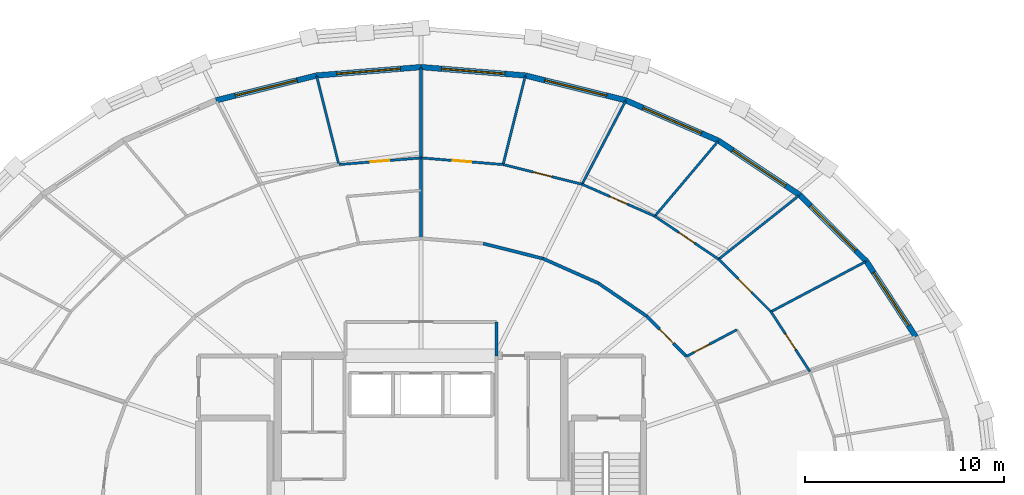
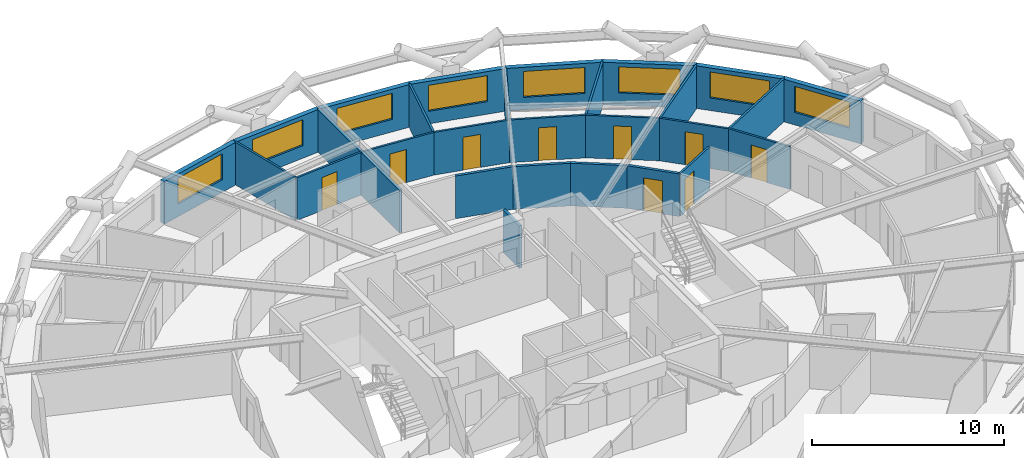
# One storey, part 19 of 23: 28 walls, 9 doors, 8 windows, 17 openings.
"""IFC4 building model written with IfcOpenShell, lengths in metres."""

from ifc_helpers import new_model, si_unit, direction, frame, frame_2d, origin, place, context, subcontext, project, spatial, rectangle, extrude, material, layer, layer_set, type_object, element, fill, save


model = new_model("IFC4")

# Units and contexts
model_context = context("Model", 3, precision=1e-05, world=origin(), true_north=direction((0.0, 1.0)))
body_context = subcontext(model_context, "Body", "Model", "MODEL_VIEW")
ifc_project = project(units=[si_unit("LENGTHUNIT", "METRE"), si_unit("AREAUNIT", "SQUARE_METRE"), si_unit("VOLUMEUNIT", "CUBIC_METRE"), si_unit("PLANEANGLEUNIT", "RADIAN"), si_unit("MASSUNIT", "GRAM", prefix="KILO")], contexts=[model_context])

# Site, building, storey
site_placement = place(None, origin())
site = spatial("IfcSite", under=ifc_project, at=site_placement, CompositionType="ELEMENT")
building_placement = place(site_placement, origin())
building = spatial("IfcBuilding", under=site, at=building_placement, Name="Veldorina Hangang Commons", CompositionType="ELEMENT")
storey_placement = place(building_placement, frame((0.0, 0.0, 95.199951171875)))
storey = spatial("IfcBuildingStorey", under=building, at=storey_placement, Name="L24", CompositionType="ELEMENT", Elevation=95.199951171875)

# Wall, opening, window
ifc_material_1 = material(Name="Stone Roman Travertine", Category="masonry")
ifc_layer_1 = layer(ifc_material_1, 0.280029296875)
ifc_layer_set_1 = layer_set([ifc_layer_1], Name="Stone Roman Travertine")
wall_type_1 = type_object("IfcWallType", Name="EW-TRAV-280", PredefinedType="STANDARD", material=ifc_layer_set_1)
wall_1_placement = place(storey_placement, frame((56.879150390625, 32.404541015625, 0.0), z_axis=(0.0, 0.0, 1.0), x_axis=(-0.548143021063, 0.836384617541, 0.0)))
wall_1 = element("IfcWall", 1, at=wall_1_placement, inside=storey, type_object=wall_type_1, Name="L24 travertine facade wall 02", PredefinedType="STANDARD", context=body_context, shape_type="SweptSolid", body=[
    extrude(rectangle(XDim=4.5400390625, YDim=0.280029296875, at=frame_2d((2.27001953125, 0.0))), origin(), (0.0, 0.0, 1.0), 2.7099609375),
])
opening_1_placement = place(wall_1_placement, frame((0.669921875, 0.0, 0.800048828125)))
opening_1 = element("IfcOpeningElement", 2, at=opening_1_placement, cuts=wall_1, Name="Opening W-01", PredefinedType="OPENING", context=body_context, shape_type="SweptSolid", body=[
    extrude(rectangle(XDim=3.199951171875, YDim=1.64990234375, at=frame_2d((1.60009765625, 0.824951171875))), frame((0.0, 0.14990234375, 0.0), z_axis=(0.0, -1.0, 0.0), x_axis=(1.0, 0.0, 0.0)), (0.0, 0.0, 1.0), 0.300048828125),
])
ifc_material_2 = material(Name="Glass Low-E Triple IGU", Category="glass")
window_type = type_object("IfcWindowType", Name="WIN-TWR-3200", PartitioningType="SINGLE_PANEL", PredefinedType="WINDOW", material=ifc_material_2)
window_1_placement = place(opening_1_placement, origin())
window_1 = element("IfcWindow", 3, at=window_1_placement, inside=storey, type_object=window_type, Name="L24 facade window 02", OverallHeight=1.64990234375, OverallWidth=3.199951171875, PartitioningType="SINGLE_PANEL", PredefinedType="WINDOW", context=body_context, shape_type="SweptSolid", body=[
    extrude(rectangle(XDim=3.199951171875, YDim=1.64990234375, at=frame_2d((1.60009765625, 0.824951171875))), frame((0.0, 0.030029296875, 0.0), z_axis=(0.0, -1.0, 0.0), x_axis=(1.0, 0.0, 0.0)), (0.0, 0.0, 1.0), 0.06005859375),
])
fill(opening_1, window_1)

wall_2_placement = place(storey_placement, frame((54.390625, 36.20166015625, 0.0), z_axis=(0.0, 0.0, 1.0), x_axis=(-0.70930102543, 0.70490570669, 0.0)))
wall_2 = element("IfcWall", 4, at=wall_2_placement, inside=storey, type_object=wall_type_1, Name="L24 travertine facade wall 03", PredefinedType="STANDARD", context=body_context, shape_type="SweptSolid", body=[
    extrude(rectangle(XDim=4.721435546875, YDim=0.280029296875, at=frame_2d((2.36083984375, 0.0))), origin(), (0.0, 0.0, 1.0), 2.7099609375),
])
opening_2_placement = place(wall_2_placement, frame((0.7607421875, 0.0, 0.800048828125)))
opening_2 = element("IfcOpeningElement", 5, at=opening_2_placement, cuts=wall_2, Name="Opening W-01", PredefinedType="OPENING", context=body_context, shape_type="SweptSolid", body=[
    extrude(rectangle(XDim=3.199951171875, YDim=1.64990234375, at=frame_2d((1.60009765625, 0.824951171875))), frame((0.0, 0.14990234375, 0.0), z_axis=(0.0, -1.0, 0.0), x_axis=(1.0, 0.0, 0.0)), (0.0, 0.0, 1.0), 0.300048828125),
])
window_2_placement = place(opening_2_placement, origin())
window_2 = element("IfcWindow", 6, at=window_2_placement, inside=storey, type_object=window_type, Name="L24 facade window 03", OverallHeight=1.64990234375, OverallWidth=3.199951171875, PartitioningType="SINGLE_PANEL", PredefinedType="WINDOW", context=body_context, shape_type="SweptSolid", body=[
    extrude(rectangle(XDim=3.199951171875, YDim=1.64990234375, at=frame_2d((1.60009765625, 0.824951171875))), frame((0.0, 0.030029296875, 0.0), z_axis=(0.0, -1.0, 0.0), x_axis=(1.0, 0.0, 0.0)), (0.0, 0.0, 1.0), 0.06005859375),
])
fill(opening_2, window_2)

wall_3_placement = place(storey_placement, frame((51.041748046875, 39.52978515625, 0.0), z_axis=(0.0, 0.0, 1.0), x_axis=(-0.831046915145, 0.556202323645, 0.0)))
wall_3 = element("IfcWall", 7, at=wall_3_placement, inside=storey, type_object=wall_type_1, Name="L24 travertine facade wall 04", PredefinedType="STANDARD", context=body_context, shape_type="SweptSolid", body=[
    extrude(rectangle(XDim=4.910400390625, YDim=0.280029296875, at=frame_2d((2.455078125, 0.0))), origin(), (0.0, 0.0, 1.0), 2.7099609375),
])
opening_3_placement = place(wall_3_placement, frame((0.855224609375, 0.0, 0.800048828125)))
opening_3 = element("IfcOpeningElement", 8, at=opening_3_placement, cuts=wall_3, Name="Opening W-01", PredefinedType="OPENING", context=body_context, shape_type="SweptSolid", body=[
    extrude(rectangle(XDim=3.199951171875, YDim=1.64990234375, at=frame_2d((1.60009765625, 0.824951171875))), frame((0.0, 0.14990234375, 0.0), z_axis=(0.0, -1.0, 0.0), x_axis=(1.0, 0.0, 0.0)), (0.0, 0.0, 1.0), 0.300048828125),
])
window_3_placement = place(opening_3_placement, origin())
window_3 = element("IfcWindow", 9, at=window_3_placement, inside=storey, type_object=window_type, Name="L24 facade window 04", OverallHeight=1.64990234375, OverallWidth=3.199951171875, PartitioningType="SINGLE_PANEL", PredefinedType="WINDOW", context=body_context, shape_type="SweptSolid", body=[
    extrude(rectangle(XDim=3.199951171875, YDim=1.64990234375, at=frame_2d((1.60009765625, 0.824951171875))), frame((0.0, 0.030029296875, 0.0), z_axis=(0.0, -1.0, 0.0), x_axis=(1.0, 0.0, 0.0)), (0.0, 0.0, 1.0), 0.06005859375),
])
fill(opening_3, window_3)

wall_4_placement = place(storey_placement, frame((46.9609375, 42.260986328125, 0.0), z_axis=(0.0, 0.0, 1.0), x_axis=(-0.916680612936, 0.39962063744, 0.0)))
wall_4 = element("IfcWall", 10, at=wall_4_placement, inside=storey, type_object=wall_type_1, Name="L24 travertine facade wall 05", PredefinedType="STANDARD", context=body_context, shape_type="SweptSolid", body=[
    extrude(rectangle(XDim=5.07861328125, YDim=0.280029296875, at=frame_2d((2.539306640625, 0.0))), origin(), (0.0, 0.0, 1.0), 2.7099609375),
])
opening_4_placement = place(wall_4_placement, frame((0.939453125, 0.0, 0.800048828125)))
opening_4 = element("IfcOpeningElement", 11, at=opening_4_placement, cuts=wall_4, Name="Opening W-01", PredefinedType="OPENING", context=body_context, shape_type="SweptSolid", body=[
    extrude(rectangle(XDim=3.199951171875, YDim=1.64990234375, at=frame_2d((1.60009765625, 0.824951171875))), frame((0.0, 0.14990234375, 0.0), z_axis=(0.0, -1.0, 0.0), x_axis=(1.0, 0.0, 0.0)), (0.0, 0.0, 1.0), 0.300048828125),
])
window_4_placement = place(opening_4_placement, origin())
window_4 = element("IfcWindow", 12, at=window_4_placement, inside=storey, type_object=window_type, Name="L24 facade window 05", OverallHeight=1.64990234375, OverallWidth=3.199951171875, PartitioningType="SINGLE_PANEL", PredefinedType="WINDOW", context=body_context, shape_type="SweptSolid", body=[
    extrude(rectangle(XDim=3.199951171875, YDim=1.64990234375, at=frame_2d((1.60009765625, 0.824951171875))), frame((0.0, 0.030029296875, 0.0), z_axis=(0.0, -1.0, 0.0), x_axis=(1.0, 0.0, 0.0)), (0.0, 0.0, 1.0), 0.06005859375),
])
fill(opening_4, window_4)

wall_5_placement = place(storey_placement, frame((42.305419921875, 44.29052734375, 0.0), z_axis=(0.0, 0.0, 1.0), x_axis=(-0.970735648522, 0.240150579199, 0.0)))
wall_5 = element("IfcWall", 13, at=wall_5_placement, inside=storey, type_object=wall_type_1, Name="L24 travertine facade wall 06", PredefinedType="STANDARD", context=body_context, shape_type="SweptSolid", body=[
    extrude(rectangle(XDim=5.2041015625, YDim=0.280029296875, at=frame_2d((2.60205078125, 0.0))), origin(), (0.0, 0.0, 1.0), 2.7099609375),
])
opening_5_placement = place(wall_5_placement, frame((1.001953125, 0.0, 0.800048828125)))
opening_5 = element("IfcOpeningElement", 14, at=opening_5_placement, cuts=wall_5, Name="Opening W-01", PredefinedType="OPENING", context=body_context, shape_type="SweptSolid", body=[
    extrude(rectangle(XDim=3.199951171875, YDim=1.64990234375, at=frame_2d((1.60009765625, 0.824951171875))), frame((0.0, 0.14990234375, 0.0), z_axis=(0.0, -1.0, 0.0), x_axis=(1.0, 0.0, 0.0)), (0.0, 0.0, 1.0), 0.300048828125),
])
window_5_placement = place(opening_5_placement, origin())
window_5 = element("IfcWindow", 15, at=window_5_placement, inside=storey, type_object=window_type, Name="L24 facade window 06", OverallHeight=1.64990234375, OverallWidth=3.199951171875, PartitioningType="SINGLE_PANEL", PredefinedType="WINDOW", context=body_context, shape_type="SweptSolid", body=[
    extrude(rectangle(XDim=3.199951171875, YDim=1.64990234375, at=frame_2d((1.60009765625, 0.824951171875))), frame((0.0, 0.030029296875, 0.0), z_axis=(0.0, -1.0, 0.0), x_axis=(1.0, 0.0, 0.0)), (0.0, 0.0, 1.0), 0.06005859375),
])
fill(opening_5, window_5)

wall_6_placement = place(storey_placement, frame((37.253662109375, 45.540283203125, 0.0), z_axis=(0.0, 0.0, 1.0), x_axis=(-0.996787676698, 0.080089497328, 0.0)))
wall_6 = element("IfcWall", 16, at=wall_6_placement, inside=storey, type_object=wall_type_1, Name="L24 travertine facade wall 07", PredefinedType="STANDARD", context=body_context, shape_type="SweptSolid", body=[
    extrude(rectangle(XDim=5.2705078125, YDim=0.280029296875, at=frame_2d((2.63525390625, 0.0))), origin(), (0.0, 0.0, 1.0), 2.7099609375),
])
opening_6_placement = place(wall_6_placement, frame((1.035400390625, 0.0, 0.800048828125)))
opening_6 = element("IfcOpeningElement", 17, at=opening_6_placement, cuts=wall_6, Name="Opening W-01", PredefinedType="OPENING", context=body_context, shape_type="SweptSolid", body=[
    extrude(rectangle(XDim=3.199951171875, YDim=1.64990234375, at=frame_2d((1.60009765625, 0.824951171875))), frame((0.0, 0.14990234375, 0.0), z_axis=(0.0, -1.0, 0.0), x_axis=(1.0, 0.0, 0.0)), (0.0, 0.0, 1.0), 0.300048828125),
])
window_6_placement = place(opening_6_placement, origin())
window_6 = element("IfcWindow", 18, at=window_6_placement, inside=storey, type_object=window_type, Name="L24 facade window 07", OverallHeight=1.64990234375, OverallWidth=3.199951171875, PartitioningType="SINGLE_PANEL", PredefinedType="WINDOW", context=body_context, shape_type="SweptSolid", body=[
    extrude(rectangle(XDim=3.199951171875, YDim=1.64990234375, at=frame_2d((1.60009765625, 0.824951171875))), frame((0.0, 0.030029296875, 0.0), z_axis=(0.0, -1.0, 0.0), x_axis=(1.0, 0.0, 0.0)), (0.0, 0.0, 1.0), 0.06005859375),
])
fill(opening_6, window_6)

wall_7_placement = place(storey_placement, frame((32.0, 45.96240234375, 0.0), z_axis=(0.0, 0.0, 1.0), x_axis=(-0.996787676698, -0.080089497328, 0.0)))
wall_7 = element("IfcWall", 19, at=wall_7_placement, inside=storey, type_object=wall_type_1, Name="L24 travertine facade wall 08", PredefinedType="STANDARD", context=body_context, shape_type="SweptSolid", body=[
    extrude(rectangle(XDim=5.2705078125, YDim=0.280029296875, at=frame_2d((2.63525390625, 0.0))), origin(), (0.0, 0.0, 1.0), 2.7099609375),
])
opening_7_placement = place(wall_7_placement, frame((1.035400390625, 0.0, 0.800048828125)))
opening_7 = element("IfcOpeningElement", 20, at=opening_7_placement, cuts=wall_7, Name="Opening W-01", PredefinedType="OPENING", context=body_context, shape_type="SweptSolid", body=[
    extrude(rectangle(XDim=3.199951171875, YDim=1.64990234375, at=frame_2d((1.60009765625, 0.824951171875))), frame((0.0, 0.14990234375, 0.0), z_axis=(0.0, -1.0, 0.0), x_axis=(1.0, 0.0, 0.0)), (0.0, 0.0, 1.0), 0.300048828125),
])
window_7_placement = place(opening_7_placement, origin())
window_7 = element("IfcWindow", 21, at=window_7_placement, inside=storey, type_object=window_type, Name="L24 facade window 08", OverallHeight=1.64990234375, OverallWidth=3.199951171875, PartitioningType="SINGLE_PANEL", PredefinedType="WINDOW", context=body_context, shape_type="SweptSolid", body=[
    extrude(rectangle(XDim=3.199951171875, YDim=1.64990234375, at=frame_2d((1.60009765625, 0.824951171875))), frame((0.0, 0.030029296875, 0.0), z_axis=(0.0, -1.0, 0.0), x_axis=(1.0, 0.0, 0.0)), (0.0, 0.0, 1.0), 0.06005859375),
])
fill(opening_7, window_7)

wall_8_placement = place(storey_placement, frame((26.746337890625, 45.540283203125, 0.0), z_axis=(0.0, 0.0, 1.0), x_axis=(-0.970735648522, -0.240150579199, 0.0)))
wall_8 = element("IfcWall", 22, at=wall_8_placement, inside=storey, type_object=wall_type_1, Name="L24 travertine facade wall 09", PredefinedType="STANDARD", context=body_context, shape_type="SweptSolid", body=[
    extrude(rectangle(XDim=5.2041015625, YDim=0.280029296875, at=frame_2d((2.60205078125, 0.0))), origin(), (0.0, 0.0, 1.0), 2.7099609375),
])
opening_8_placement = place(wall_8_placement, frame((1.001953125, 0.0, 0.800048828125)))
opening_8 = element("IfcOpeningElement", 23, at=opening_8_placement, cuts=wall_8, Name="Opening W-01", PredefinedType="OPENING", context=body_context, shape_type="SweptSolid", body=[
    extrude(rectangle(XDim=3.199951171875, YDim=1.64990234375, at=frame_2d((1.60009765625, 0.824951171875))), frame((0.0, 0.14990234375, 0.0), z_axis=(0.0, -1.0, 0.0), x_axis=(1.0, 0.0, 0.0)), (0.0, 0.0, 1.0), 0.300048828125),
])
window_8_placement = place(opening_8_placement, origin())
window_8 = element("IfcWindow", 24, at=window_8_placement, inside=storey, type_object=window_type, Name="L24 facade window 09", OverallHeight=1.64990234375, OverallWidth=3.199951171875, PartitioningType="SINGLE_PANEL", PredefinedType="WINDOW", context=body_context, shape_type="SweptSolid", body=[
    extrude(rectangle(XDim=3.199951171875, YDim=1.64990234375, at=frame_2d((1.60009765625, 0.824951171875))), frame((0.0, 0.030029296875, 0.0), z_axis=(0.0, -1.0, 0.0), x_axis=(1.0, 0.0, 0.0)), (0.0, 0.0, 1.0), 0.06005859375),
])
fill(opening_8, window_8)

# Wall
ifc_material_3 = material(Name="Gypsum Fire-Rated Twin Stud Wall", Category="gypsum")
ifc_layer_2 = layer(ifc_material_3, 0.159912109375)
ifc_layer_set_2 = layer_set([ifc_layer_2], Name="Gypsum Fire-Rated Twin Stud Wall")
wall_type_2 = type_object("IfcWallType", Name="WL-FIRE-160", PredefinedType="SOLIDWALL", material=ifc_layer_set_2)
wall_9_placement = place(storey_placement, frame((35.800048828125, 31.449951171875, 0.0), z_axis=(0.0, 0.0, 1.0), x_axis=(0.0, 1.0, 0.0)))
element("IfcWall", 25, at=wall_9_placement, inside=storey, type_object=wall_type_2, Name="L24 North lobby east wall 033", PredefinedType="SOLIDWALL", context=body_context, shape_type="SweptSolid", body=[
    extrude(rectangle(XDim=1.699951171875, YDim=0.159912109375, at=frame_2d((0.85009765625, 0.0))), origin(), (0.0, 0.0, 1.0), 2.7099609375),
])

# Wall, opening, door
wall_10_placement = place(storey_placement, frame((45.34521484375, 31.4169921875, 0.0), z_axis=(0.0, 0.0, 1.0), x_axis=(-0.702366174226, 0.711815816981, 0.0)))
wall_10 = element("IfcWall", 26, at=wall_10_placement, inside=storey, type_object=wall_type_2, Name="L24 Corridor outer wall 03 051", PredefinedType="SOLIDWALL", context=body_context, shape_type="SweptSolid", body=[
    extrude(rectangle(XDim=2.842041015625, YDim=0.159912109375, at=frame_2d((1.4208984375, 0.0))), origin(), (0.0, 0.0, 1.0), 2.7099609375),
])
opening_9_placement = place(wall_10_placement, frame((0.9208984375, 0.0, 0.0)))
opening_9 = element("IfcOpeningElement", 27, at=opening_9_placement, cuts=wall_10, Name="Opening D-06", PredefinedType="OPENING", context=body_context, shape_type="SweptSolid", body=[
    extrude(rectangle(XDim=1.0, YDim=2.10009765625, at=frame_2d((0.5, 1.050048828125))), frame((0.0, 0.08984375, 0.0), z_axis=(0.0, -1.0, 0.0), x_axis=(1.0, 0.0, 0.0)), (0.0, 0.0, 1.0), 0.179931640625),
])
ifc_material_4 = material(Name="Timber Fire-Rated Entrance Core", Category="wood")
door_type_1 = type_object("IfcDoorType", Name="DR-UNIT-1000", OperationType="SINGLE_SWING_LEFT", PredefinedType="DOOR", material=ifc_material_4)
door_1_placement = place(opening_9_placement, origin())
door_1 = element("IfcDoor", 28, at=door_1_placement, inside=storey, type_object=door_type_1, Name="L24 Cluster 3 entrance door 031", OperationType="SINGLE_SWING_LEFT", OverallHeight=2.10009765625, OverallWidth=1.0, PredefinedType="DOOR", context=body_context, shape_type="SweptSolid", body=[
    extrude(rectangle(XDim=1.0, YDim=2.10009765625, at=frame_2d((0.5, 1.050048828125))), frame((0.0, 0.02490234375, 0.0), z_axis=(0.0, -1.0, 0.0), x_axis=(1.0, 0.0, 0.0)), (0.0, 0.0, 1.0), 0.050048828125),
])
fill(opening_9, door_1)

# Walls
wall_11_placement = place(storey_placement, frame((43.34912109375, 33.43994140625, 0.0), z_axis=(0.0, 0.0, 1.0), x_axis=(-0.825929039072, 0.563774088104, 0.0)))
element("IfcWall", 29, at=wall_11_placement, inside=storey, type_object=wall_type_2, Name="L24 Corridor outer wall 04 052", PredefinedType="SOLIDWALL", context=body_context, shape_type="SweptSolid", body=[
    extrude(rectangle(XDim=2.94482421875, YDim=0.159912109375, at=frame_2d((1.472412109375, 0.0))), origin(), (0.0, 0.0, 1.0), 2.7099609375),
])
wall_12_placement = place(storey_placement, frame((40.9169921875, 35.10009765625, 0.0), z_axis=(0.0, 0.0, 1.0), x_axis=(-0.913768445178, 0.406235434936, 0.0)))
element("IfcWall", 30, at=wall_12_placement, inside=storey, type_object=wall_type_2, Name="L24 Corridor outer wall 05 053", PredefinedType="SOLIDWALL", context=body_context, shape_type="SweptSolid", body=[
    extrude(rectangle(XDim=3.036865234375, YDim=0.159912109375, at=frame_2d((1.5185546875, 0.0))), origin(), (0.0, 0.0, 1.0), 2.7099609375),
])
wall_13_placement = place(storey_placement, frame((38.14208984375, 36.333740234375, 0.0), z_axis=(0.0, 0.0, 1.0), x_axis=(-0.969608333194, 0.244662380029, 0.0)))
element("IfcWall", 31, at=wall_13_placement, inside=storey, type_object=wall_type_2, Name="L24 Corridor outer wall 06 054", PredefinedType="SOLIDWALL", context=body_context, shape_type="SweptSolid", body=[
    extrude(rectangle(XDim=3.10546875, YDim=0.159912109375, at=frame_2d((1.552734375, 0.0))), origin(), (0.0, 0.0, 1.0), 2.7099609375),
])
wall_14_placement = place(storey_placement, frame((32.0, 37.35009765625, 0.0), z_axis=(0.0, 0.0, 1.0), x_axis=(0.0, 1.0, 0.0)))
element("IfcWall", 32, at=wall_14_placement, inside=storey, type_object=wall_type_2, Name="L24 Unit party wall 08 113", PredefinedType="SOLIDWALL", context=body_context, shape_type="SweptSolid", body=[
    extrude(rectangle(XDim=8.562255859375, YDim=0.159912109375, at=frame_2d((4.28125, 0.0))), origin(), (0.0, 0.0, 1.0), 2.7099609375),
])

# Wall, opening, door
ifc_material_5 = material(Name="Gypsum Acoustic Stud Partition", Category="gypsum")
ifc_layer_3 = layer(ifc_material_5, 0.1201171875)
ifc_layer_set_3 = layer_set([ifc_layer_3], Name="Gypsum Acoustic Stud Partition")
wall_type_3 = type_object("IfcWallType", Name="WL-PART-120", PredefinedType="PARTITIONING", material=ifc_layer_set_3)
wall_15_placement = place(storey_placement, frame((45.34521484375, 31.4169921875, 0.0), z_axis=(0.0, 0.0, 1.0), x_axis=(0.883968173421, 0.46754707611, 0.0)))
wall_15 = element("IfcWall", 33, at=wall_15_placement, inside=storey, type_object=wall_type_3, Name="L24 Cluster 3 bath side wall 101", PredefinedType="PARTITIONING", context=body_context, shape_type="SweptSolid", body=[
    extrude(rectangle(XDim=2.865234375, YDim=0.1201171875, at=frame_2d((1.4326171875, 0.0))), origin(), (0.0, 0.0, 1.0), 2.7099609375),
])
opening_10_placement = place(wall_15_placement, frame((0.43994140625, 0.0, 0.0)))
opening_10 = element("IfcOpeningElement", 34, at=opening_10_placement, cuts=wall_15, Name="Opening D-01", PredefinedType="OPENING", context=body_context, shape_type="SweptSolid", body=[
    extrude(rectangle(XDim=0.860107421875, YDim=2.10009765625, at=frame_2d((0.43017578125, 1.050048828125))), frame((0.0, 0.070068359375, 0.0), z_axis=(0.0, -1.0, 0.0), x_axis=(1.0, 0.0, 0.0)), (0.0, 0.0, 1.0), 0.14013671875),
])
ifc_material_6 = material(Name="Timber Moisture-Resistant Core", Category="wood")
door_type_2 = type_object("IfcDoorType", Name="DR-WET-860", OperationType="SINGLE_SWING_LEFT", PredefinedType="DOOR", material=ifc_material_6)
door_2_placement = place(opening_10_placement, origin())
door_2 = element("IfcDoor", 35, at=door_2_placement, inside=storey, type_object=door_type_2, Name="L24 Cluster 3 shared bathroom door 030", OperationType="SINGLE_SWING_RIGHT", OverallHeight=2.10009765625, OverallWidth=0.860107421875, PredefinedType="DOOR", context=body_context, shape_type="SweptSolid", body=[
    extrude(rectangle(XDim=0.860107421875, YDim=2.10009765625, at=frame_2d((0.43017578125, 1.050048828125))), frame((0.0, 0.02490234375, 0.0), z_axis=(0.0, -1.0, 0.0), x_axis=(1.0, 0.0, 0.0)), (0.0, 0.0, 1.0), 0.050048828125),
])
fill(opening_10, door_2)

wall_16_placement = place(storey_placement, frame((51.55224609375, 30.65771484375, 0.0), z_axis=(0.0, 0.0, 1.0), x_axis=(-0.545100755876, 0.838370542149, 0.0)))
wall_16 = element("IfcWall", 36, at=wall_16_placement, inside=storey, type_object=wall_type_3, Name="L24 Cluster 3 bed 1 front wall 102", PredefinedType="PARTITIONING", context=body_context, shape_type="SweptSolid", body=[
    extrude(rectangle(XDim=3.587890625, YDim=0.1201171875, at=frame_2d((1.7939453125, 0.0))), origin(), (0.0, 0.0, 1.0), 2.7099609375),
])
opening_11_placement = place(wall_16_placement, frame((1.319091796875, 0.0, 0.0)))
opening_11 = element("IfcOpeningElement", 37, at=opening_11_placement, cuts=wall_16, Name="Opening D-02", PredefinedType="OPENING", context=body_context, shape_type="SweptSolid", body=[
    extrude(rectangle(XDim=0.949951171875, YDim=2.10009765625, at=frame_2d((0.47509765625, 1.050048828125))), frame((0.0, 0.070068359375, 0.0), z_axis=(0.0, -1.0, 0.0), x_axis=(1.0, 0.0, 0.0)), (0.0, 0.0, 1.0), 0.14013671875),
])
ifc_material_7 = material(Name="Timber Solid Core Acoustic", Category="wood")
door_type_3 = type_object("IfcDoorType", Name="DR-INT-950", OperationType="SINGLE_SWING_LEFT", PredefinedType="DOOR", material=ifc_material_7)
door_3_placement = place(opening_11_placement, origin())
door_3 = element("IfcDoor", 38, at=door_3_placement, inside=storey, type_object=door_type_3, Name="L24 Cluster 3 bed 1 door 032", OperationType="SINGLE_SWING_RIGHT", OverallHeight=2.10009765625, OverallWidth=0.949951171875, PredefinedType="DOOR", context=body_context, shape_type="SweptSolid", body=[
    extrude(rectangle(XDim=0.949951171875, YDim=2.10009765625, at=frame_2d((0.47509765625, 1.050048828125))), frame((0.0, 0.02490234375, 0.0), z_axis=(0.0, -1.0, 0.0), x_axis=(1.0, 0.0, 0.0)), (0.0, 0.0, 1.0), 0.050048828125),
])
fill(opening_11, door_3)

wall_17_placement = place(storey_placement, frame((49.596435546875, 33.665771484375, 0.0), z_axis=(0.0, 0.0, 1.0), x_axis=(-0.706483909955, 0.70772910423, 0.0)))
wall_17 = element("IfcWall", 39, at=wall_17_placement, inside=storey, type_object=wall_type_3, Name="L24 Cluster 3 bed 2 front wall 103", PredefinedType="PARTITIONING", context=body_context, shape_type="SweptSolid", body=[
    extrude(rectangle(XDim=3.725341796875, YDim=0.1201171875, at=frame_2d((1.86279296875, 0.0))), origin(), (0.0, 0.0, 1.0), 2.7099609375),
])
opening_12_placement = place(wall_17_placement, frame((1.3876953125, 0.0, 0.0)))
opening_12 = element("IfcOpeningElement", 40, at=opening_12_placement, cuts=wall_17, Name="Opening D-02", PredefinedType="OPENING", context=body_context, shape_type="SweptSolid", body=[
    extrude(rectangle(XDim=0.949951171875, YDim=2.10009765625, at=frame_2d((0.47509765625, 1.050048828125))), frame((0.0, 0.070068359375, 0.0), z_axis=(0.0, -1.0, 0.0), x_axis=(1.0, 0.0, 0.0)), (0.0, 0.0, 1.0), 0.14013671875),
])
door_4_placement = place(opening_12_placement, origin())
door_4 = element("IfcDoor", 41, at=door_4_placement, inside=storey, type_object=door_type_3, Name="L24 Cluster 3 bed 2 door 033", OperationType="SINGLE_SWING_LEFT", OverallHeight=2.10009765625, OverallWidth=0.949951171875, PredefinedType="DOOR", context=body_context, shape_type="SweptSolid", body=[
    extrude(rectangle(XDim=0.949951171875, YDim=2.10009765625, at=frame_2d((0.47509765625, 1.050048828125))), frame((0.0, 0.02490234375, 0.0), z_axis=(0.0, -1.0, 0.0), x_axis=(1.0, 0.0, 0.0)), (0.0, 0.0, 1.0), 0.050048828125),
])
fill(opening_12, door_4)

# Wall
wall_18_placement = place(storey_placement, frame((49.596435546875, 33.665771484375, 0.0), z_axis=(0.0, 0.0, 1.0), x_axis=(0.883961363843, 0.467559950417, 0.0)))
element("IfcWall", 42, at=wall_18_placement, inside=storey, type_object=wall_type_3, Name="L24 Cluster 3 bed divider 1 104", PredefinedType="PARTITIONING", context=body_context, shape_type="SweptSolid", body=[
    extrude(rectangle(XDim=5.37353515625, YDim=0.1201171875, at=frame_2d((2.686767578125, 0.0))), origin(), (0.0, 0.0, 1.0), 2.7099609375),
])

# Wall, opening, door
wall_19_placement = place(storey_placement, frame((46.964599609375, 36.30224609375, 0.0), z_axis=(0.0, 0.0, 1.0), x_axis=(-0.828989117178, 0.559264734808, 0.0)))
wall_19 = element("IfcWall", 43, at=wall_19_placement, inside=storey, type_object=wall_type_3, Name="L24 Cluster 3 bed 3 front wall 105", PredefinedType="PARTITIONING", context=body_context, shape_type="SweptSolid", body=[
    extrude(rectangle(XDim=3.86865234375, YDim=0.1201171875, at=frame_2d((1.934326171875, 0.0))), origin(), (0.0, 0.0, 1.0), 2.7099609375),
])
opening_13_placement = place(wall_19_placement, frame((1.459228515625, 0.0, 0.0)))
opening_13 = element("IfcOpeningElement", 44, at=opening_13_placement, cuts=wall_19, Name="Opening D-02", PredefinedType="OPENING", context=body_context, shape_type="SweptSolid", body=[
    extrude(rectangle(XDim=0.949951171875, YDim=2.10009765625, at=frame_2d((0.47509765625, 1.050048828125))), frame((0.0, 0.070068359375, 0.0), z_axis=(0.0, -1.0, 0.0), x_axis=(1.0, 0.0, 0.0)), (0.0, 0.0, 1.0), 0.14013671875),
])
door_5_placement = place(opening_13_placement, origin())
door_5 = element("IfcDoor", 45, at=door_5_placement, inside=storey, type_object=door_type_3, Name="L24 Cluster 3 bed 3 door 034", OperationType="SINGLE_SWING_RIGHT", OverallHeight=2.10009765625, OverallWidth=0.949951171875, PredefinedType="DOOR", context=body_context, shape_type="SweptSolid", body=[
    extrude(rectangle(XDim=0.949951171875, YDim=2.10009765625, at=frame_2d((0.47509765625, 1.050048828125))), frame((0.0, 0.02490234375, 0.0), z_axis=(0.0, -1.0, 0.0), x_axis=(1.0, 0.0, 0.0)), (0.0, 0.0, 1.0), 0.050048828125),
])
fill(opening_13, door_5)

# Wall
wall_20_placement = place(storey_placement, frame((46.964599609375, 36.30224609375, 0.0), z_axis=(0.0, 0.0, 1.0), x_axis=(0.784054475927, 0.620692016042, 0.0)))
element("IfcWall", 46, at=wall_20_placement, inside=storey, type_object=wall_type_3, Name="L24 Cluster 3 bed divider 2 106", PredefinedType="PARTITIONING", context=body_context, shape_type="SweptSolid", body=[
    extrude(rectangle(XDim=5.14990234375, YDim=0.1201171875, at=frame_2d((2.574951171875, 0.0))), origin(), (0.0, 0.0, 1.0), 2.7099609375),
])

# Wall, opening, door
wall_21_placement = place(storey_placement, frame((43.757568359375, 38.4658203125, 0.0), z_axis=(0.0, 0.0, 1.0), x_axis=(-0.91551399957, 0.40228611285, 0.0)))
wall_21 = element("IfcWall", 47, at=wall_21_placement, inside=storey, type_object=wall_type_3, Name="L24 Cluster 3 bed 4 front wall 107", PredefinedType="PARTITIONING", context=body_context, shape_type="SweptSolid", body=[
    extrude(rectangle(XDim=3.996337890625, YDim=0.1201171875, at=frame_2d((1.998046875, 0.0))), origin(), (0.0, 0.0, 1.0), 2.7099609375),
])
opening_14_placement = place(wall_21_placement, frame((1.523193359375, 0.0, 0.0)))
opening_14 = element("IfcOpeningElement", 48, at=opening_14_placement, cuts=wall_21, Name="Opening D-02", PredefinedType="OPENING", context=body_context, shape_type="SweptSolid", body=[
    extrude(rectangle(XDim=0.949951171875, YDim=2.10009765625, at=frame_2d((0.47509765625, 1.050048828125))), frame((0.0, 0.070068359375, 0.0), z_axis=(0.0, -1.0, 0.0), x_axis=(1.0, 0.0, 0.0)), (0.0, 0.0, 1.0), 0.14013671875),
])
door_6_placement = place(opening_14_placement, origin())
door_6 = element("IfcDoor", 49, at=door_6_placement, inside=storey, type_object=door_type_3, Name="L24 Cluster 3 bed 4 door 035", OperationType="SINGLE_SWING_LEFT", OverallHeight=2.10009765625, OverallWidth=0.949951171875, PredefinedType="DOOR", context=body_context, shape_type="SweptSolid", body=[
    extrude(rectangle(XDim=0.949951171875, YDim=2.10009765625, at=frame_2d((0.47509765625, 1.050048828125))), frame((0.0, 0.02490234375, 0.0), z_axis=(0.0, -1.0, 0.0), x_axis=(1.0, 0.0, 0.0)), (0.0, 0.0, 1.0), 0.050048828125),
])
fill(opening_14, door_6)

# Wall
wall_22_placement = place(storey_placement, frame((43.757568359375, 38.4658203125, 0.0), z_axis=(0.0, 0.0, 1.0), x_axis=(0.64500236789, 0.764180571211, 0.0)))
element("IfcWall", 50, at=wall_22_placement, inside=storey, type_object=wall_type_3, Name="L24 Cluster 3 bed divider 3 108", PredefinedType="PARTITIONING", context=body_context, shape_type="SweptSolid", body=[
    extrude(rectangle(XDim=4.91650390625, YDim=0.1201171875, at=frame_2d((2.458251953125, 0.0))), origin(), (0.0, 0.0, 1.0), 2.7099609375),
])

# Wall, opening, door
wall_23_placement = place(storey_placement, frame((40.098876953125, 40.073486328125, 0.0), z_axis=(0.0, 0.0, 1.0), x_axis=(-0.970289731263, 0.241945939016, 0.0)))
wall_23 = element("IfcWall", 51, at=wall_23_placement, inside=storey, type_object=wall_type_3, Name="L24 Cluster 3 bed 5 front wall 109", PredefinedType="PARTITIONING", context=body_context, shape_type="SweptSolid", body=[
    extrude(rectangle(XDim=4.091796875, YDim=0.1201171875, at=frame_2d((2.0458984375, 0.0))), origin(), (0.0, 0.0, 1.0), 2.7099609375),
])
opening_15_placement = place(wall_23_placement, frame((1.57080078125, 0.0, 0.0)))
opening_15 = element("IfcOpeningElement", 52, at=opening_15_placement, cuts=wall_23, Name="Opening D-02", PredefinedType="OPENING", context=body_context, shape_type="SweptSolid", body=[
    extrude(rectangle(XDim=0.949951171875, YDim=2.10009765625, at=frame_2d((0.47509765625, 1.050048828125))), frame((0.0, 0.070068359375, 0.0), z_axis=(0.0, -1.0, 0.0), x_axis=(1.0, 0.0, 0.0)), (0.0, 0.0, 1.0), 0.14013671875),
])
door_7_placement = place(opening_15_placement, origin())
door_7 = element("IfcDoor", 53, at=door_7_placement, inside=storey, type_object=door_type_3, Name="L24 Cluster 3 bed 5 door 036", OperationType="SINGLE_SWING_RIGHT", OverallHeight=2.10009765625, OverallWidth=0.949951171875, PredefinedType="DOOR", context=body_context, shape_type="SweptSolid", body=[
    extrude(rectangle(XDim=0.949951171875, YDim=2.10009765625, at=frame_2d((0.47509765625, 1.050048828125))), frame((0.0, 0.02490234375, 0.0), z_axis=(0.0, -1.0, 0.0), x_axis=(1.0, 0.0, 0.0)), (0.0, 0.0, 1.0), 0.050048828125),
])
fill(opening_15, door_7)

# Wall
wall_24_placement = place(storey_placement, frame((40.098876953125, 40.073486328125, 0.0), z_axis=(0.0, 0.0, 1.0), x_axis=(0.463561399352, 0.886064799567, 0.0)))
element("IfcWall", 54, at=wall_24_placement, inside=storey, type_object=wall_type_3, Name="L24 Cluster 3 bed divider 4 110", PredefinedType="PARTITIONING", context=body_context, shape_type="SweptSolid", body=[
    extrude(rectangle(XDim=4.70947265625, YDim=0.1201171875, at=frame_2d((2.354736328125, 0.0))), origin(), (0.0, 0.0, 1.0), 2.7099609375),
])

# Wall, opening, door
wall_25_placement = place(storey_placement, frame((36.128662109375, 41.0634765625, 0.0), z_axis=(0.0, 0.0, 1.0), x_axis=(-0.996739305437, 0.080689261968, 0.0)))
wall_25 = element("IfcWall", 55, at=wall_25_placement, inside=storey, type_object=wall_type_3, Name="L24 Cluster 3 bed 6 front wall 111", PredefinedType="PARTITIONING", context=body_context, shape_type="SweptSolid", body=[
    extrude(rectangle(XDim=4.14208984375, YDim=0.1201171875, at=frame_2d((2.071044921875, 0.0))), origin(), (0.0, 0.0, 1.0), 2.7099609375),
])
opening_16_placement = place(wall_25_placement, frame((1.59619140625, 0.0, 0.0)))
opening_16 = element("IfcOpeningElement", 56, at=opening_16_placement, cuts=wall_25, Name="Opening D-02", PredefinedType="OPENING", context=body_context, shape_type="SweptSolid", body=[
    extrude(rectangle(XDim=0.949951171875, YDim=2.10009765625, at=frame_2d((0.47509765625, 1.050048828125))), frame((0.0, 0.070068359375, 0.0), z_axis=(0.0, -1.0, 0.0), x_axis=(1.0, 0.0, 0.0)), (0.0, 0.0, 1.0), 0.14013671875),
])
door_8_placement = place(opening_16_placement, origin())
door_8 = element("IfcDoor", 57, at=door_8_placement, inside=storey, type_object=door_type_3, Name="L24 Cluster 3 bed 6 door 037", OperationType="SINGLE_SWING_LEFT", OverallHeight=2.10009765625, OverallWidth=0.949951171875, PredefinedType="DOOR", context=body_context, shape_type="SweptSolid", body=[
    extrude(rectangle(XDim=0.949951171875, YDim=2.10009765625, at=frame_2d((0.47509765625, 1.050048828125))), frame((0.0, 0.02490234375, 0.0), z_axis=(0.0, -1.0, 0.0), x_axis=(1.0, 0.0, 0.0)), (0.0, 0.0, 1.0), 0.050048828125),
])
fill(opening_16, door_8)

# Wall
wall_26_placement = place(storey_placement, frame((36.128662109375, 41.0634765625, 0.0), z_axis=(0.0, 0.0, 1.0), x_axis=(0.243705446154, 0.969849295259, 0.0)))
element("IfcWall", 58, at=wall_26_placement, inside=storey, type_object=wall_type_3, Name="L24 Cluster 3 bed divider 5 112", PredefinedType="PARTITIONING", context=body_context, shape_type="SweptSolid", body=[
    extrude(rectangle(XDim=4.566162109375, YDim=0.1201171875, at=frame_2d((2.283203125, 0.0))), origin(), (0.0, 0.0, 1.0), 2.7099609375),
])

# Wall, opening, door
wall_27_placement = place(storey_placement, frame((32.0, 41.397705078125, 0.0), z_axis=(0.0, 0.0, 1.0), x_axis=(-0.996739305437, -0.080689261968, 0.0)))
wall_27 = element("IfcWall", 59, at=wall_27_placement, inside=storey, type_object=wall_type_3, Name="L24 Cluster 4 bed 1 front wall 116", PredefinedType="PARTITIONING", context=body_context, shape_type="SweptSolid", body=[
    extrude(rectangle(XDim=4.14208984375, YDim=0.1201171875, at=frame_2d((2.071044921875, 0.0))), origin(), (0.0, 0.0, 1.0), 2.7099609375),
])
opening_17_placement = place(wall_27_placement, frame((1.59619140625, 0.0, 0.0)))
opening_17 = element("IfcOpeningElement", 60, at=opening_17_placement, cuts=wall_27, Name="Opening D-02", PredefinedType="OPENING", context=body_context, shape_type="SweptSolid", body=[
    extrude(rectangle(XDim=0.949951171875, YDim=2.10009765625, at=frame_2d((0.47509765625, 1.050048828125))), frame((0.0, 0.070068359375, 0.0), z_axis=(0.0, -1.0, 0.0), x_axis=(1.0, 0.0, 0.0)), (0.0, 0.0, 1.0), 0.14013671875),
])
door_9_placement = place(opening_17_placement, origin())
door_9 = element("IfcDoor", 61, at=door_9_placement, inside=storey, type_object=door_type_3, Name="L24 Cluster 4 bed 1 door 040", OperationType="SINGLE_SWING_RIGHT", OverallHeight=2.10009765625, OverallWidth=0.949951171875, PredefinedType="DOOR", context=body_context, shape_type="SweptSolid", body=[
    extrude(rectangle(XDim=0.949951171875, YDim=2.10009765625, at=frame_2d((0.47509765625, 1.050048828125))), frame((0.0, 0.02490234375, 0.0), z_axis=(0.0, -1.0, 0.0), x_axis=(1.0, 0.0, 0.0)), (0.0, 0.0, 1.0), 0.050048828125),
])
fill(opening_17, door_9)

# Wall
wall_28_placement = place(storey_placement, frame((27.871337890625, 41.0634765625, 0.0), z_axis=(0.0, 0.0, 1.0), x_axis=(-0.243705446154, 0.969849295259, 0.0)))
element("IfcWall", 62, at=wall_28_placement, inside=storey, type_object=wall_type_3, Name="L24 Cluster 4 bed divider 1 118", PredefinedType="PARTITIONING", context=body_context, shape_type="SweptSolid", body=[
    extrude(rectangle(XDim=4.566162109375, YDim=0.1201171875, at=frame_2d((2.283203125, 0.0))), origin(), (0.0, 0.0, 1.0), 2.7099609375),
])

save(model, "model.ifc")
